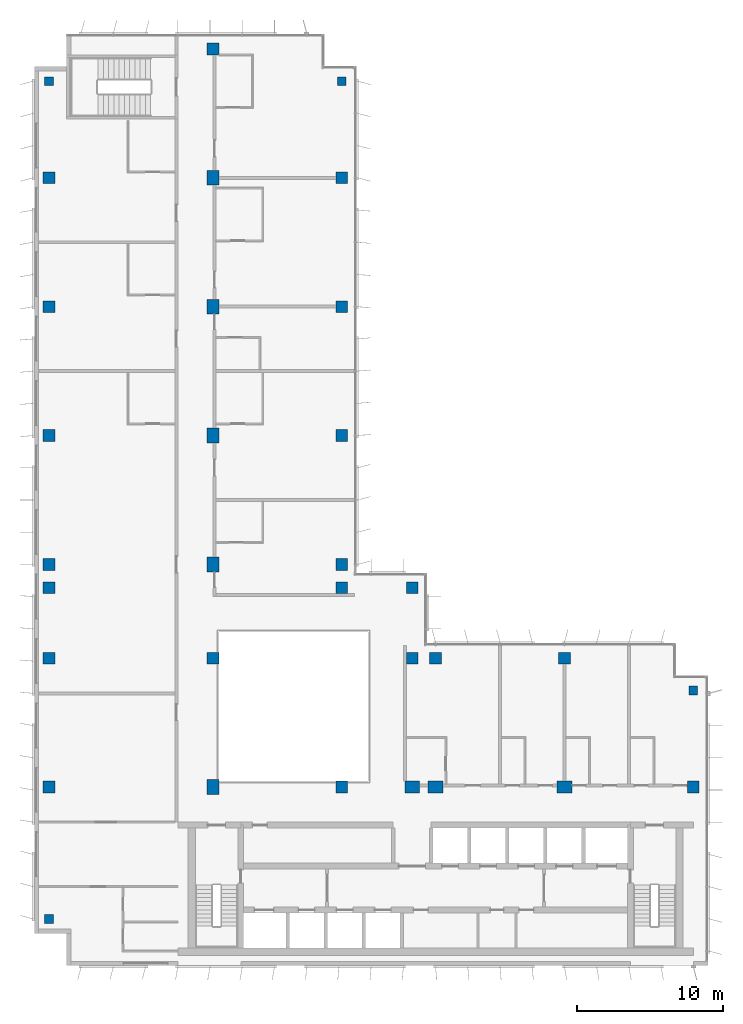
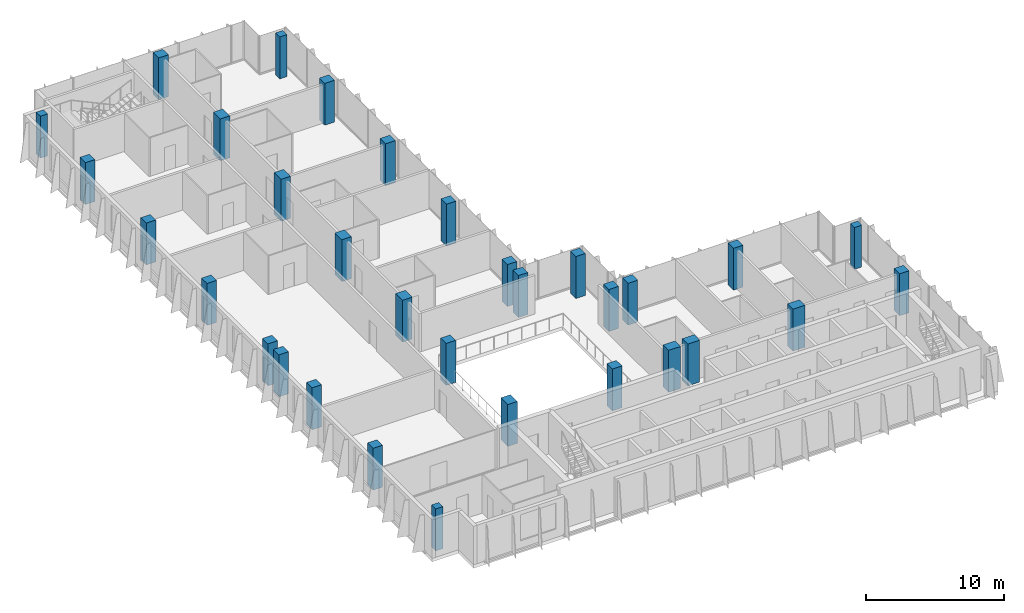
# One storey, part 1 of 15: 32 columns.
"""IFC4 building model written with IfcOpenShell, lengths in metres."""

from ifc_helpers import new_model, si_unit, direction, frame, origin, origin_2d, place, context, subcontext, project, spatial, rectangle, extrude, material, material_profile, profile_set, type_object, element, save


model = new_model("IFC4")

# Units and contexts
model_context = context("Model", 3, precision=1e-05, world=origin(), true_north=direction((0.0, 1.0)))
body_context = subcontext(model_context, "Body", "Model", "MODEL_VIEW")
ifc_project = project(units=[si_unit("LENGTHUNIT", "METRE"), si_unit("AREAUNIT", "SQUARE_METRE"), si_unit("VOLUMEUNIT", "CUBIC_METRE"), si_unit("PLANEANGLEUNIT", "RADIAN"), si_unit("MASSUNIT", "GRAM", prefix="KILO")], contexts=[model_context])

# Site, building, storey
site_placement = place(None, origin())
site = spatial("IfcSite", under=ifc_project, at=site_placement, CompositionType="ELEMENT")
building_placement = place(site_placement, origin())
building = spatial("IfcBuilding", under=site, at=building_placement, Name="Kemantara Hotel Tower", CompositionType="ELEMENT")
storey_placement = place(building_placement, frame((0.0, 0.0, 301.800048828125)))
storey = spatial("IfcBuildingStorey", under=building, at=storey_placement, Name="L76", CompositionType="ELEMENT", Elevation=301.800048828125)

# Columns
ifc_material = material(Name="Concrete fc 50 MPa", Category="concrete")
ifc_material_profile_1 = material_profile(ifc_material, rectangle(XDim=1.0, YDim=0.800048828125, at=origin_2d()), Name="RC 1000X800")
ifc_profile_set_1 = profile_set([ifc_material_profile_1], Name="Concrete fc 50 MPa")
column_type_1 = type_object("IfcColumnType", Name="RC COLUMN 1000X800 FC50", PredefinedType="COLUMN", material=ifc_profile_set_1)
for number, where, z_axis, x_axis, name in (
    (1, (12.199951171875, 12.199951171875, 0.0), (0.0, 0.0, 1.0), (0.0, 1.0, 0.0), "COLUMN 2A/BA L76"),
    (2, (12.199951171875, 27.39990234375, 0.0), (0.0, 0.0, 1.0), (0.0, 1.0, 0.0), "COLUMN 2A/D L76"),
    (3, (12.199951171875, 36.199951171875, 0.0), (0.0, 0.0, 1.0), (0.0, 1.0, 0.0), "COLUMN 2A/E L76"),
    (4, (12.199951171875, 45.0, 0.0), (0.0, 0.0, 1.0), (0.0, 1.0, 0.0), "COLUMN 2A/F L76"),
    (5, (12.199951171875, 53.800048828125, 0.0), (0.0, 0.0, 1.0), (0.0, 1.0, 0.0), "COLUMN 2A/G L76"),
    (6, (25.800048828125, 12.199951171875, 0.0), (0.0, 0.0, 1.0), (1.0, 0.0, 0.0), "COLUMN 3A/BA L76"),
    (7, (27.39990234375, 12.199951171875, 0.0), (0.0, 0.0, 1.0), (1.0, 0.0, 0.0), "COLUMN 4/BA L76"),
    (8, (36.199951171875, 12.199951171875, 0.0), (0.0, 0.0, 1.0), (1.0, 0.0, 0.0), "COLUMN 5/BA L76"),
):
    element("IfcColumn", number, at=place(storey_placement, frame(where, z_axis=z_axis, x_axis=x_axis)), inside=storey, type_object=column_type_1, Name=name, PredefinedType="COLUMN", context=body_context, shape_type="SweptSolid", body=[
        extrude(rectangle(XDim=1.0, YDim=0.800048828125, at=origin_2d()), origin(), (0.0, 0.0, 1.0), 3.699951171875),
    ])
ifc_material_profile_2 = material_profile(ifc_material, rectangle(XDim=0.60009765625, YDim=0.60009765625, at=origin_2d()), Name="RC 600X600")
ifc_profile_set_2 = profile_set([ifc_material_profile_2], Name="Concrete fc 50 MPa")
column_type_2 = type_object("IfcColumnType", Name="RC COLUMN 600X600 FC50", PredefinedType="COLUMN", material=ifc_profile_set_2)
for number, where, z_axis, x_axis, name in (
    (9, (1.0, 3.199951171875, 0.0), (0.0, 0.0, 1.0), (1.0, 0.0, 0.0), "COLUMN notch corner L76"),
    (10, (1.0, 60.39990234375, 0.0), (0.0, 0.0, 1.0), (1.0, 0.0, 0.0), "COLUMN notch corner L76"),
    (11, (21.0, 60.39990234375, 0.0), (0.0, 0.0, 1.0), (1.0, 0.0, 0.0), "COLUMN notch corner L76"),
    (12, (45.0, 18.800048828125, 0.0), (0.0, 0.0, 1.0), (1.0, 0.0, 0.0), "COLUMN notch corner L76"),
):
    element("IfcColumn", number, at=place(storey_placement, frame(where, z_axis=z_axis, x_axis=x_axis)), inside=storey, type_object=column_type_2, Name=name, PredefinedType="COLUMN", context=body_context, shape_type="SweptSolid", body=[
        extrude(rectangle(XDim=0.60009765625, YDim=0.60009765625, at=origin_2d()), origin(), (0.0, 0.0, 1.0), 3.699951171875),
    ])
ifc_material_profile_3 = material_profile(ifc_material, rectangle(XDim=0.800048828125, YDim=0.800048828125, at=origin_2d()), Name="RC 800X800")
ifc_profile_set_3 = profile_set([ifc_material_profile_3], Name="Concrete fc 50 MPa")
column_type_3 = type_object("IfcColumnType", Name="RC COLUMN 800X800 FC50", PredefinedType="COLUMN", material=ifc_profile_set_3)
for number, where, z_axis, x_axis, name in (
    (13, (1.0, 12.199951171875, 0.0), (0.0, 0.0, 1.0), (1.0, 0.0, 0.0), "COLUMN 1/BA L76"),
    (14, (1.0, 21.0, 0.0), (0.0, 0.0, 1.0), (1.0, 0.0, 0.0), "COLUMN 1/C L76"),
    (15, (1.0, 25.800048828125, 0.0), (0.0, 0.0, 1.0), (1.0, 0.0, 0.0), "COLUMN 1/CA L76"),
    (16, (1.0, 27.39990234375, 0.0), (0.0, 0.0, 1.0), (1.0, 0.0, 0.0), "COLUMN 1/D L76"),
    (17, (1.0, 36.199951171875, 0.0), (0.0, 0.0, 1.0), (1.0, 0.0, 0.0), "COLUMN 1/E L76"),
    (18, (1.0, 45.0, 0.0), (0.0, 0.0, 1.0), (1.0, 0.0, 0.0), "COLUMN 1/F L76"),
    (19, (1.0, 53.800048828125, 0.0), (0.0, 0.0, 1.0), (1.0, 0.0, 0.0), "COLUMN 1/G L76"),
    (20, (12.199951171875, 21.0, 0.0), (0.0, 0.0, 1.0), (1.0, 0.0, 0.0), "COLUMN 2A/C L76"),
    (21, (12.199951171875, 62.60009765625, 0.0), (0.0, 0.0, 1.0), (1.0, 0.0, 0.0), "COLUMN 2A/H L76"),
    (22, (21.0, 12.199951171875, 0.0), (0.0, 0.0, 1.0), (1.0, 0.0, 0.0), "COLUMN 3/BA L76"),
    (23, (21.0, 25.800048828125, 0.0), (0.0, 0.0, 1.0), (1.0, 0.0, 0.0), "COLUMN 3/CA L76"),
    (24, (21.0, 27.39990234375, 0.0), (0.0, 0.0, 1.0), (1.0, 0.0, 0.0), "COLUMN 3/D L76"),
    (25, (21.0, 36.199951171875, 0.0), (0.0, 0.0, 1.0), (1.0, 0.0, 0.0), "COLUMN 3/E L76"),
    (26, (21.0, 45.0, 0.0), (0.0, 0.0, 1.0), (1.0, 0.0, 0.0), "COLUMN 3/F L76"),
    (27, (21.0, 53.800048828125, 0.0), (0.0, 0.0, 1.0), (1.0, 0.0, 0.0), "COLUMN 3/G L76"),
    (28, (25.800048828125, 21.0, 0.0), (0.0, 0.0, 1.0), (1.0, 0.0, 0.0), "COLUMN 3A/C L76"),
    (29, (25.800048828125, 25.800048828125, 0.0), (0.0, 0.0, 1.0), (1.0, 0.0, 0.0), "COLUMN 3A/CA L76"),
    (30, (27.39990234375, 21.0, 0.0), (0.0, 0.0, 1.0), (1.0, 0.0, 0.0), "COLUMN 4/C L76"),
    (31, (36.199951171875, 21.0, 0.0), (0.0, 0.0, 1.0), (1.0, 0.0, 0.0), "COLUMN 5/C L76"),
    (32, (45.0, 12.199951171875, 0.0), (0.0, 0.0, 1.0), (1.0, 0.0, 0.0), "COLUMN 6/BA L76"),
):
    element("IfcColumn", number, at=place(storey_placement, frame(where, z_axis=z_axis, x_axis=x_axis)), inside=storey, type_object=column_type_3, Name=name, PredefinedType="COLUMN", context=body_context, shape_type="SweptSolid", body=[
        extrude(rectangle(XDim=0.800048828125, YDim=0.800048828125, at=origin_2d()), origin(), (0.0, 0.0, 1.0), 3.699951171875),
    ])

save(model, "model.ifc")
